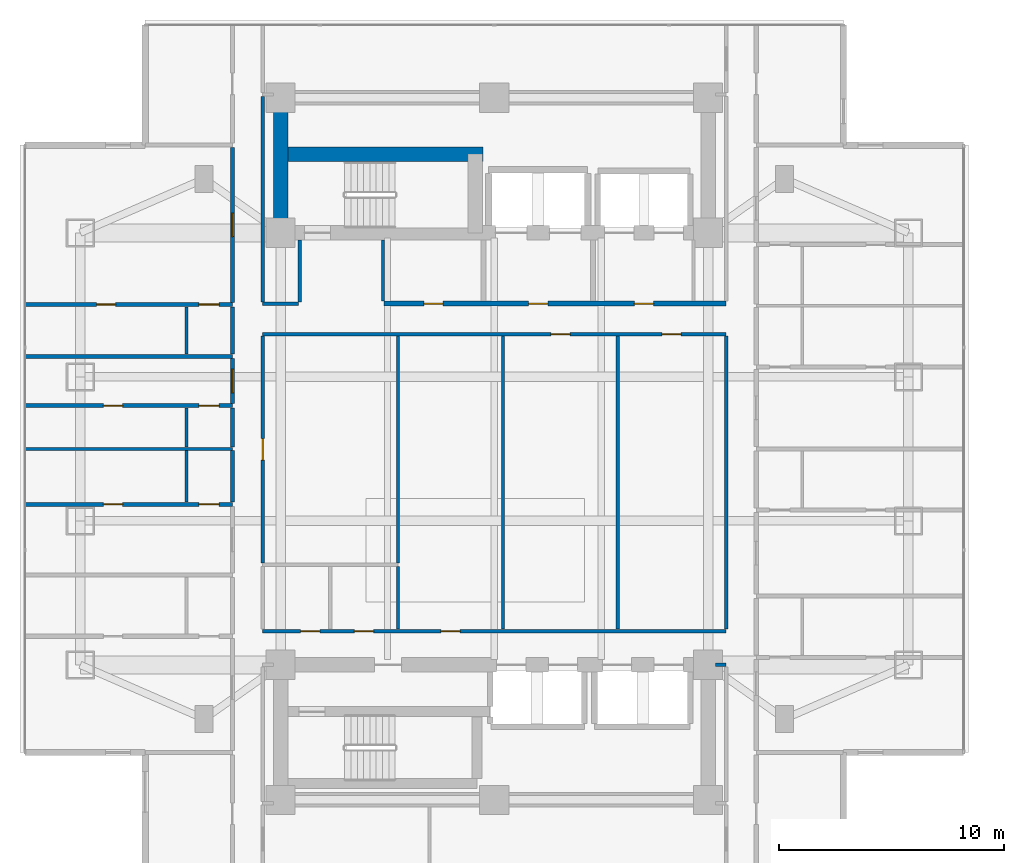
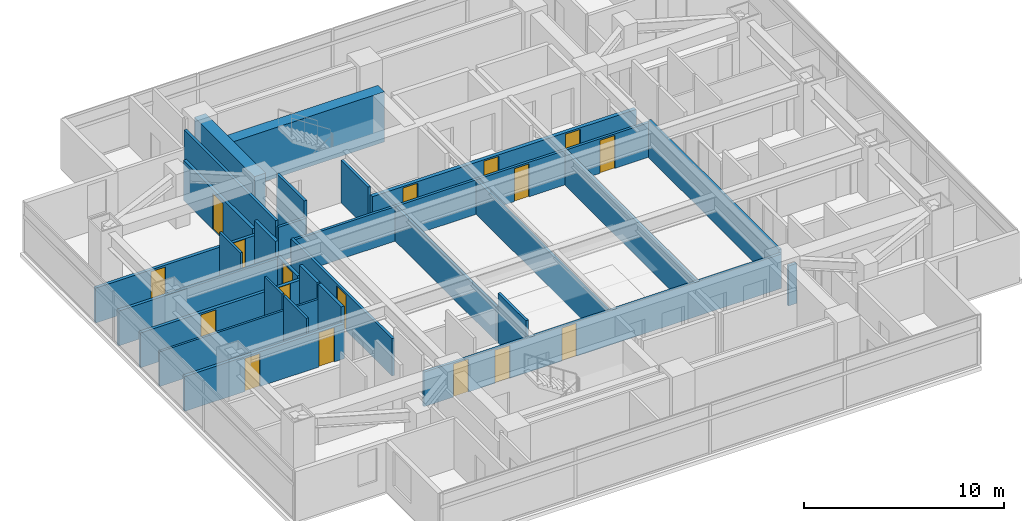
# One storey, part 14 of 27: 29 walls, 17 doors, 17 openings.
"""IFC4 building model written with IfcOpenShell, lengths in metres."""

from ifc_helpers import new_model, si_unit, direction, frame, frame_2d, origin, place, context, subcontext, project, spatial, rectangle, extrude, material, layer, layer_set, type_object, element, fill, save


model = new_model("IFC4")

# Units and contexts
model_context = context("Model", 3, precision=1e-05, world=origin(), true_north=direction((0.0, 1.0)))
body_context = subcontext(model_context, "Body", "Model", "MODEL_VIEW")
ifc_project = project(units=[si_unit("LENGTHUNIT", "METRE"), si_unit("AREAUNIT", "SQUARE_METRE"), si_unit("VOLUMEUNIT", "CUBIC_METRE"), si_unit("PLANEANGLEUNIT", "RADIAN"), si_unit("MASSUNIT", "GRAM", prefix="KILO")], contexts=[model_context])

# Site, building, storey
site_placement = place(None, origin())
site = spatial("IfcSite", under=ifc_project, at=site_placement, CompositionType="ELEMENT")
building_placement = place(site_placement, origin())
building = spatial("IfcBuilding", under=site, at=building_placement, Name="Mirazonda Arch Towers", CompositionType="ELEMENT")
storey_placement = place(building_placement, frame((0.0, 0.0, 55.39990234375)))
storey = spatial("IfcBuildingStorey", under=building, at=storey_placement, Name="L15", CompositionType="ELEMENT", Elevation=55.39990234375)

# Walls
ifc_material_1 = material(Name="Concrete C60/75", Category="concrete")
ifc_layer_1 = layer(ifc_material_1, 0.64990234375, Name="WALL-CORE-650")
ifc_layer_set_1 = layer_set([ifc_layer_1], Name="Concrete C60/75")
wall_type_1 = type_object("IfcWallType", Name="WALL-CORE-650", PredefinedType="SHEAR", material=ifc_layer_set_1)
wall_1_placement = place(storey_placement, frame((11.0, 37.60009765625, 0.0), z_axis=(0.0, 0.0, 1.0), x_axis=(0.0, 1.0, 0.0)))
element("IfcWall", 1, at=wall_1_placement, inside=storey, type_object=wall_type_1, Name="L15 T1N-W Core Shear Wall", PredefinedType="SHEAR", context=body_context, shape_type="SweptSolid", body=[
    extrude(rectangle(XDim=6.0, YDim=0.64990234375, at=frame_2d((3.0, 0.0))), origin(), (0.0, 0.0, 1.0), 3.06005859375),
])
wall_2_placement = place(storey_placement, frame((11.0, 41.093017578125, 0.0), z_axis=(0.0, 0.0, 1.0), x_axis=(1.0, 0.0, 0.0)))
element("IfcWall", 2, at=wall_2_placement, inside=storey, type_object=wall_type_1, Name="L15 T1N-STN Core Shear Wall", PredefinedType="SHEAR", context=body_context, shape_type="SweptSolid", body=[
    extrude(rectangle(XDim=9.0, YDim=0.64990234375, at=frame_2d((4.5, 0.0))), origin(), (0.0, 0.0, 1.0), 3.06005859375),
])

# Wall, openings, doors
ifc_material_2 = material(Name="Concrete C40/50", Category="concrete")
ifc_layer_2 = layer(ifc_material_2, 0.219970703125, Name="WALL-FFL-220")
ifc_layer_set_2 = layer_set([ifc_layer_2], Name="Concrete C40/50")
wall_type_2 = type_object("IfcWallType", Name="WALL-FFL-220", PredefinedType="SOLIDWALL", material=ifc_layer_set_2)
wall_3_placement = place(storey_placement, frame((15.590087890625, 34.449951171875, 0.0), z_axis=(0.0, 0.0, 1.0), x_axis=(1.0, 0.0, 0.0)))
wall_3 = element("IfcWall", 3, at=wall_3_placement, inside=storey, type_object=wall_type_2, Name="L15 Interior Partition 049", PredefinedType="SOLIDWALL", context=body_context, shape_type="SweptSolid", body=[
    extrude(rectangle(XDim=15.2099609375, YDim=0.219970703125, at=frame_2d((7.60498046875, 0.0))), origin(), (0.0, 0.0, 1.0), 2.10400390625),
])
opening_1_placement = place(wall_3_placement, frame((6.43505859375, 0.0, 0.0)))
opening_1 = element("IfcOpeningElement", 4, at=opening_1_placement, cuts=wall_3, Name="Opening DR-128", PredefinedType="OPENING", context=body_context, shape_type="SweptSolid", body=[
    extrude(rectangle(XDim=0.85009765625, YDim=2.010009765625, at=frame_2d((0.425048828125, 1.0048828125))), frame((0.0, 0.119873046875, 0.0), z_axis=(0.0, -1.0, 0.0), x_axis=(1.0, 0.0, 0.0)), (0.0, 0.0, 1.0), 0.239990234375),
])
opening_2_placement = place(wall_3_placement, frame((11.135009765625, 0.0, 0.0)))
opening_2 = element("IfcOpeningElement", 5, at=opening_2_placement, cuts=wall_3, Name="Opening DR-128", PredefinedType="OPENING", context=body_context, shape_type="SweptSolid", body=[
    extrude(rectangle(XDim=0.85009765625, YDim=2.010009765625, at=frame_2d((0.425048828125, 1.0048828125))), frame((0.0, 0.119873046875, 0.0), z_axis=(0.0, -1.0, 0.0), x_axis=(1.0, 0.0, 0.0)), (0.0, 0.0, 1.0), 0.239990234375),
])
opening_3_placement = place(wall_3_placement, frame((1.77490234375, 0.0, 0.0)))
opening_3 = element("IfcOpeningElement", 6, at=opening_3_placement, cuts=wall_3, Name="Opening DR-128", PredefinedType="OPENING", context=body_context, shape_type="SweptSolid", body=[
    extrude(rectangle(XDim=0.85009765625, YDim=2.010009765625, at=frame_2d((0.425048828125, 1.0048828125))), frame((0.0, 0.119873046875, 0.0), z_axis=(0.0, -1.0, 0.0), x_axis=(1.0, 0.0, 0.0)), (0.0, 0.0, 1.0), 0.239990234375),
])
ifc_material_3 = material(Name="Architectural Brushed Steel S355", Category="steel")
door_type_1 = type_object("IfcDoorType", Name="DOOR-RISER-FD60-850", OperationType="NOTDEFINED", PredefinedType="DOOR", material=ifc_material_3)
door_1_placement = place(opening_1_placement, origin())
door_1 = element("IfcDoor", 7, at=door_1_placement, inside=storey, type_object=door_type_1, Name="L15 Firefighting Lift Lobby Door", OperationType="SINGLE_SWING_LEFT", OverallHeight=2.010009765625, OverallWidth=0.85009765625, PredefinedType="DOOR", context=body_context, shape_type="SweptSolid", body=[
    extrude(rectangle(XDim=0.85009765625, YDim=2.010009765625, at=frame_2d((0.425048828125, 1.0048828125))), frame((0.0, 0.02490234375, 0.0), z_axis=(0.0, -1.0, 0.0), x_axis=(1.0, 0.0, 0.0)), (0.0, 0.0, 1.0), 0.050048828125),
])
fill(opening_1, door_1)
door_2_placement = place(opening_2_placement, origin())
door_2 = element("IfcDoor", 8, at=door_2_placement, inside=storey, type_object=door_type_1, Name="L15 Passenger Lift Lobby North Door", OperationType="SINGLE_SWING_RIGHT", OverallHeight=2.010009765625, OverallWidth=0.85009765625, PredefinedType="DOOR", context=body_context, shape_type="SweptSolid", body=[
    extrude(rectangle(XDim=0.85009765625, YDim=2.010009765625, at=frame_2d((0.425048828125, 1.0048828125))), frame((0.0, 0.02490234375, 0.0), z_axis=(0.0, -1.0, 0.0), x_axis=(1.0, 0.0, 0.0)), (0.0, 0.0, 1.0), 0.050048828125),
])
fill(opening_2, door_2)
door_3_placement = place(opening_3_placement, origin())
door_3 = element("IfcDoor", 9, at=door_3_placement, inside=storey, type_object=door_type_1, Name="L15 Housekeeping Linen Room Door", OperationType="SINGLE_SWING_LEFT", OverallHeight=2.010009765625, OverallWidth=0.85009765625, PredefinedType="DOOR", context=body_context, shape_type="SweptSolid", body=[
    extrude(rectangle(XDim=0.85009765625, YDim=2.010009765625, at=frame_2d((0.425048828125, 1.0048828125))), frame((0.0, 0.02490234375, 0.0), z_axis=(0.0, -1.0, 0.0), x_axis=(1.0, 0.0, 0.0)), (0.0, 0.0, 1.0), 0.050048828125),
])
fill(opening_3, door_3)

# Wall
ifc_material_4 = material(Name="Fire-Rated Gypsum Stud Partition")
ifc_layer_3 = layer(ifc_material_4, 0.14990234375, Name="WALL-PART-CORR-150")
ifc_layer_set_3 = layer_set([ifc_layer_3], Name="Fire-Rated Gypsum Stud Partition")
wall_type_3 = type_object("IfcWallType", Name="WALL-PART-CORR-150", PredefinedType="PARTITIONING", material=ifc_layer_set_3)
wall_4_placement = place(storey_placement, frame((30.320068359375, 18.39990234375, 0.0), z_axis=(0.0, 0.0, 1.0), x_axis=(1.0, 0.0, 0.0)))
element("IfcWall", 10, at=wall_4_placement, inside=storey, type_object=wall_type_3, Name="L15 Interior Partition 013", PredefinedType="PARTITIONING", context=body_context, shape_type="SweptSolid", body=[
    extrude(rectangle(XDim=0.47998046875, YDim=0.14990234375, at=frame_2d((0.239990234375, 0.0))), origin(), (0.0, 0.0, 1.0), 2.43603515625),
])

# Wall, openings, doors
wall_5_placement = place(storey_placement, frame((10.199951171875, 19.89990234375, 0.0), z_axis=(0.0, 0.0, 1.0), x_axis=(1.0, 0.0, 0.0)))
wall_5 = element("IfcWall", 11, at=wall_5_placement, inside=storey, type_object=wall_type_3, Name="L15 Interior Partition 017", PredefinedType="PARTITIONING", context=body_context, shape_type="SweptSolid", body=[
    extrude(rectangle(XDim=20.60009765625, YDim=0.14990234375, at=frame_2d((10.300048828125, 0.0))), origin(), (0.0, 0.0, 1.0), 2.10400390625),
])
opening_4_placement = place(wall_5_placement, frame((1.695068359375, 0.0, 0.0)))
opening_4 = element("IfcOpeningElement", 12, at=opening_4_placement, cuts=wall_5, Name="Opening DR-128", PredefinedType="OPENING", context=body_context, shape_type="SweptSolid", body=[
    extrude(rectangle(XDim=0.85009765625, YDim=2.010009765625, at=frame_2d((0.425048828125, 1.0048828125))), frame((0.0, 0.0849609375, 0.0), z_axis=(0.0, -1.0, 0.0), x_axis=(1.0, 0.0, 0.0)), (0.0, 0.0, 1.0), 0.169921875),
])
opening_5_placement = place(wall_5_placement, frame((4.0849609375, 0.0, 0.0)))
opening_5 = element("IfcOpeningElement", 13, at=opening_5_placement, cuts=wall_5, Name="Opening DR-128", PredefinedType="OPENING", context=body_context, shape_type="SweptSolid", body=[
    extrude(rectangle(XDim=0.85009765625, YDim=2.010009765625, at=frame_2d((0.425048828125, 1.0048828125))), frame((0.0, 0.0849609375, 0.0), z_axis=(0.0, -1.0, 0.0), x_axis=(1.0, 0.0, 0.0)), (0.0, 0.0, 1.0), 0.169921875),
])
opening_6_placement = place(wall_5_placement, frame((7.927978515625, 0.0, 0.0)))
opening_6 = element("IfcOpeningElement", 14, at=opening_6_placement, cuts=wall_5, Name="Opening DR-128", PredefinedType="OPENING", context=body_context, shape_type="SweptSolid", body=[
    extrude(rectangle(XDim=0.85009765625, YDim=2.010009765625, at=frame_2d((0.425048828125, 1.0048828125))), frame((0.0, 0.0849609375, 0.0), z_axis=(0.0, -1.0, 0.0), x_axis=(1.0, 0.0, 0.0)), (0.0, 0.0, 1.0), 0.169921875),
])
door_4_placement = place(opening_4_placement, origin())
door_4 = element("IfcDoor", 15, at=door_4_placement, inside=storey, type_object=door_type_1, Name="L15 Common Accessible WC Door", OperationType="SINGLE_SWING_RIGHT", OverallHeight=2.010009765625, OverallWidth=0.85009765625, PredefinedType="DOOR", context=body_context, shape_type="SweptSolid", body=[
    extrude(rectangle(XDim=0.85009765625, YDim=2.010009765625, at=frame_2d((0.425048828125, 1.0048828125))), frame((0.0, 0.02490234375, 0.0), z_axis=(0.0, -1.0, 0.0), x_axis=(1.0, 0.0, 0.0)), (0.0, 0.0, 1.0), 0.050048828125),
])
fill(opening_4, door_4)
door_5_placement = place(opening_5_placement, origin())
door_5 = element("IfcDoor", 16, at=door_5_placement, inside=storey, type_object=door_type_1, Name="L15 L15 West Courtyard Study Door", OperationType="SINGLE_SWING_LEFT", OverallHeight=2.010009765625, OverallWidth=0.85009765625, PredefinedType="DOOR", context=body_context, shape_type="SweptSolid", body=[
    extrude(rectangle(XDim=0.85009765625, YDim=2.010009765625, at=frame_2d((0.425048828125, 1.0048828125))), frame((0.0, 0.02490234375, 0.0), z_axis=(0.0, -1.0, 0.0), x_axis=(1.0, 0.0, 0.0)), (0.0, 0.0, 1.0), 0.050048828125),
])
fill(opening_5, door_5)
door_6_placement = place(opening_6_placement, origin())
door_6 = element("IfcDoor", 17, at=door_6_placement, inside=storey, type_object=door_type_1, Name="L15 Executive Club Lounge Door", OperationType="SINGLE_SWING_LEFT", OverallHeight=2.010009765625, OverallWidth=0.85009765625, PredefinedType="DOOR", context=body_context, shape_type="SweptSolid", body=[
    extrude(rectangle(XDim=0.85009765625, YDim=2.010009765625, at=frame_2d((0.425048828125, 1.0048828125))), frame((0.0, 0.02490234375, 0.0), z_axis=(0.0, -1.0, 0.0), x_axis=(1.0, 0.0, 0.0)), (0.0, 0.0, 1.0), 0.050048828125),
])
fill(opening_6, door_6)

wall_6_placement = place(storey_placement, frame((10.199951171875, 33.10009765625, 0.0), z_axis=(0.0, 0.0, 1.0), x_axis=(1.0, 0.0, 0.0)))
wall_6 = element("IfcWall", 18, at=wall_6_placement, inside=storey, type_object=wall_type_3, Name="L15 Interior Partition 045", PredefinedType="PARTITIONING", context=body_context, shape_type="SweptSolid", body=[
    extrude(rectangle(XDim=20.60009765625, YDim=0.14990234375, at=frame_2d((10.300048828125, 0.0))), origin(), (0.0, 0.0, 1.0), 2.10400390625),
])
opening_7_placement = place(wall_6_placement, frame((12.8125, 0.0, 0.0)))
opening_7 = element("IfcOpeningElement", 19, at=opening_7_placement, cuts=wall_6, Name="Opening DR-128", PredefinedType="OPENING", context=body_context, shape_type="SweptSolid", body=[
    extrude(rectangle(XDim=0.85009765625, YDim=2.010009765625, at=frame_2d((0.425048828125, 1.0048828125))), frame((0.0, 0.0849609375, 0.0), z_axis=(0.0, -1.0, 0.0), x_axis=(1.0, 0.0, 0.0)), (0.0, 0.0, 1.0), 0.169921875),
])
opening_8_placement = place(wall_6_placement, frame((17.74951171875, 0.0, 0.0)))
opening_8 = element("IfcOpeningElement", 20, at=opening_8_placement, cuts=wall_6, Name="Opening DR-128", PredefinedType="OPENING", context=body_context, shape_type="SweptSolid", body=[
    extrude(rectangle(XDim=0.85009765625, YDim=2.010009765625, at=frame_2d((0.425048828125, 1.0048828125))), frame((0.0, 0.0849609375, 0.0), z_axis=(0.0, -1.0, 0.0), x_axis=(1.0, 0.0, 0.0)), (0.0, 0.0, 1.0), 0.169921875),
])
door_7_placement = place(opening_7_placement, origin())
door_7 = element("IfcDoor", 21, at=door_7_placement, inside=storey, type_object=door_type_1, Name="L15 Concierge Salon Door", OperationType="SINGLE_SWING_RIGHT", OverallHeight=2.010009765625, OverallWidth=0.85009765625, PredefinedType="DOOR", context=body_context, shape_type="SweptSolid", body=[
    extrude(rectangle(XDim=0.85009765625, YDim=2.010009765625, at=frame_2d((0.425048828125, 1.0048828125))), frame((0.0, 0.02490234375, 0.0), z_axis=(0.0, -1.0, 0.0), x_axis=(1.0, 0.0, 0.0)), (0.0, 0.0, 1.0), 0.050048828125),
])
fill(opening_7, door_7)
door_8_placement = place(opening_8_placement, origin())
door_8 = element("IfcDoor", 22, at=door_8_placement, inside=storey, type_object=door_type_1, Name="L15 Private Meeting Suite Door", OperationType="SINGLE_SWING_LEFT", OverallHeight=2.010009765625, OverallWidth=0.85009765625, PredefinedType="DOOR", context=body_context, shape_type="SweptSolid", body=[
    extrude(rectangle(XDim=0.85009765625, YDim=2.010009765625, at=frame_2d((0.425048828125, 1.0048828125))), frame((0.0, 0.02490234375, 0.0), z_axis=(0.0, -1.0, 0.0), x_axis=(1.0, 0.0, 0.0)), (0.0, 0.0, 1.0), 0.050048828125),
])
fill(opening_8, door_8)

# Wall
wall_7_placement = place(storey_placement, frame((10.199951171875, 34.449951171875, 0.0), z_axis=(0.0, 0.0, 1.0), x_axis=(1.0, 0.0, 0.0)))
element("IfcWall", 23, at=wall_7_placement, inside=storey, type_object=wall_type_3, Name="L15 Interior Partition 048", PredefinedType="PARTITIONING", context=body_context, shape_type="SweptSolid", body=[
    extrude(rectangle(XDim=1.60009765625, YDim=0.14990234375, at=frame_2d((0.800048828125, 0.0))), origin(), (0.0, 0.0, 1.0), 2.10400390625),
])

# Wall, opening, door
wall_8_placement = place(storey_placement, frame((10.206787109375, 22.93505859375, 0.0), z_axis=(0.0, 0.0, 1.0), x_axis=(0.0, 1.0, 0.0)))
wall_8 = element("IfcWall", 24, at=wall_8_placement, inside=storey, type_object=wall_type_3, Name="L15 Interior Partition 082", PredefinedType="PARTITIONING", context=body_context, shape_type="SweptSolid", body=[
    extrude(rectangle(XDim=10.079833984375, YDim=0.14990234375, at=frame_2d((5.0400390625, 0.0))), origin(), (0.0, 0.0, 1.0), 2.279052734375),
])
opening_9_placement = place(wall_8_placement, frame((4.56494140625, 0.0, 0.0)))
opening_9 = element("IfcOpeningElement", 25, at=opening_9_placement, cuts=wall_8, Name="Opening DR-104", PredefinedType="OPENING", context=body_context, shape_type="SweptSolid", body=[
    extrude(rectangle(XDim=0.949951171875, YDim=2.14990234375, at=frame_2d((0.47509765625, 1.074951171875))), frame((0.0, 0.0849609375, 0.0), z_axis=(0.0, -1.0, 0.0), x_axis=(1.0, 0.0, 0.0)), (0.0, 0.0, 1.0), 0.169921875),
])
door_type_2 = type_object("IfcDoorType", Name="DOOR-ROOM-950", OperationType="NOTDEFINED", PredefinedType="DOOR", material=ifc_material_3)
door_9_placement = place(opening_9_placement, origin())
door_9 = element("IfcDoor", 26, at=door_9_placement, inside=storey, type_object=door_type_2, Name="L15 L15 West Courtyard Salon Door", OperationType="SINGLE_SWING_RIGHT", OverallHeight=2.14990234375, OverallWidth=0.949951171875, PredefinedType="DOOR", context=body_context, shape_type="SweptSolid", body=[
    extrude(rectangle(XDim=0.949951171875, YDim=2.14990234375, at=frame_2d((0.47509765625, 1.074951171875))), frame((0.0, 0.02490234375, 0.0), z_axis=(0.0, -1.0, 0.0), x_axis=(1.0, 0.0, 0.0)), (0.0, 0.0, 1.0), 0.050048828125),
])
fill(opening_9, door_9)

# Walls
wall_9_placement = place(storey_placement, frame((10.199951171875, 34.534912109375, 0.0), z_axis=(0.0, 0.0, 1.0), x_axis=(0.0, 1.0, 0.0)))
element("IfcWall", 27, at=wall_9_placement, inside=storey, type_object=wall_type_3, Name="L15 Interior Partition 083", PredefinedType="PARTITIONING", context=body_context, shape_type="SweptSolid", body=[
    extrude(rectangle(XDim=9.130126953125, YDim=0.14990234375, at=frame_2d((4.56494140625, 0.0))), origin(), (0.0, 0.0, 1.0), 2.43603515625),
])
wall_10_placement = place(storey_placement, frame((11.85009765625, 34.534912109375, 0.0), z_axis=(0.0, 0.0, 1.0), x_axis=(0.0, 1.0, 0.0)))
element("IfcWall", 28, at=wall_10_placement, inside=storey, type_object=wall_type_3, Name="L15 Interior Partition 085", PredefinedType="PARTITIONING", context=body_context, shape_type="SweptSolid", body=[
    extrude(rectangle(XDim=2.7451171875, YDim=0.14990234375, at=frame_2d((1.37255859375, 0.0))), origin(), (0.0, 0.0, 1.0), 3.06005859375),
])
wall_11_placement = place(storey_placement, frame((15.550048828125, 34.570068359375, 0.0), z_axis=(0.0, 0.0, 1.0), x_axis=(0.0, 1.0, 0.0)))
element("IfcWall", 29, at=wall_11_placement, inside=storey, type_object=wall_type_3, Name="L15 Interior Partition 087", PredefinedType="PARTITIONING", context=body_context, shape_type="SweptSolid", body=[
    extrude(rectangle(XDim=2.7099609375, YDim=0.14990234375, at=frame_2d((1.35498046875, 0.0))), origin(), (0.0, 0.0, 1.0), 2.589111328125),
])
wall_12_placement = place(storey_placement, frame((16.219970703125, 19.985107421875, 0.0), z_axis=(0.0, 0.0, 1.0), x_axis=(0.0, 1.0, 0.0)))
element("IfcWall", 30, at=wall_12_placement, inside=storey, type_object=wall_type_3, Name="L15 Interior Partition 088", PredefinedType="PARTITIONING", context=body_context, shape_type="SweptSolid", body=[
    extrude(rectangle(XDim=2.77978515625, YDim=0.14990234375, at=frame_2d((1.389892578125, 0.0))), origin(), (0.0, 0.0, 1.0), 3.06005859375),
])
wall_13_placement = place(storey_placement, frame((16.219970703125, 22.93505859375, 0.0), z_axis=(0.0, 0.0, 1.0), x_axis=(0.0, 1.0, 0.0)))
element("IfcWall", 31, at=wall_13_placement, inside=storey, type_object=wall_type_3, Name="L15 Interior Partition 089", PredefinedType="PARTITIONING", context=body_context, shape_type="SweptSolid", body=[
    extrude(rectangle(XDim=10.079833984375, YDim=0.14990234375, at=frame_2d((5.0400390625, 0.0))), origin(), (0.0, 0.0, 1.0), 2.10400390625),
])
for number, where, z_axis, x_axis, name in (
    (32, (20.885986328125, 19.985107421875, 0.0), (0.0, 0.0, 1.0), (0.0, 1.0, 0.0), "L15 Interior Partition 096"),
    (33, (25.989013671875, 19.985107421875, 0.0), (0.0, 0.0, 1.0), (0.0, 1.0, 0.0), "L15 Interior Partition 102"),
):
    element("IfcWall", number, at=place(storey_placement, frame(where, z_axis=z_axis, x_axis=x_axis)), inside=storey, type_object=wall_type_3, Name=name, PredefinedType="PARTITIONING", context=body_context, shape_type="SweptSolid", body=[
        extrude(rectangle(XDim=13.02978515625, YDim=0.14990234375, at=frame_2d((6.514892578125, 0.0))), origin(), (0.0, 0.0, 1.0), 2.10400390625),
    ])
wall_14_placement = place(storey_placement, frame((30.800048828125, 19.985107421875, 0.0), z_axis=(0.0, 0.0, 1.0), x_axis=(0.0, 1.0, 0.0)))
element("IfcWall", 34, at=wall_14_placement, inside=storey, type_object=wall_type_3, Name="L15 Interior Partition 108", PredefinedType="PARTITIONING", context=body_context, shape_type="SweptSolid", body=[
    extrude(rectangle(XDim=13.02978515625, YDim=0.14990234375, at=frame_2d((6.514892578125, 0.0))), origin(), (0.0, 0.0, 1.0), 2.279052734375),
])

# Wall, openings, doors
ifc_material_5 = material(Name="Fire-Rated Gypsum Twin-Stud Assembly")
ifc_layer_4 = layer(ifc_material_5, 0.179931640625, Name="WALL-PART-DEMISE-180")
ifc_layer_set_4 = layer_set([ifc_layer_4], Name="Fire-Rated Gypsum Twin-Stud Assembly")
wall_type_4 = type_object("IfcWallType", Name="WALL-PART-DEMISE-180", PredefinedType="PARTITIONING", material=ifc_layer_set_4)
wall_15_placement = place(storey_placement, frame((-0.360107421875, 25.531005859375, 0.0), z_axis=(0.0, 0.0, 1.0), x_axis=(1.0, 0.0, 0.0)))
wall_15 = element("IfcWall", 35, at=wall_15_placement, inside=storey, type_object=wall_type_4, Name="L15 Interior Partition 029", PredefinedType="PARTITIONING", context=body_context, shape_type="SweptSolid", body=[
    extrude(rectangle(XDim=9.22021484375, YDim=0.179931640625, at=frame_2d((4.610107421875, 0.0))), origin(), (0.0, 0.0, 1.0), 2.125),
])
opening_10_placement = place(wall_15_placement, frame((3.485107421875, 0.0, 0.0)))
opening_10 = element("IfcOpeningElement", 36, at=opening_10_placement, cuts=wall_15, Name="Opening DR-128", PredefinedType="OPENING", context=body_context, shape_type="SweptSolid", body=[
    extrude(rectangle(XDim=0.85009765625, YDim=2.010009765625, at=frame_2d((0.425048828125, 1.0048828125))), frame((0.0, 0.099853515625, 0.0), z_axis=(0.0, -1.0, 0.0), x_axis=(1.0, 0.0, 0.0)), (0.0, 0.0, 1.0), 0.199951171875),
])
opening_11_placement = place(wall_15_placement, frame((7.72998046875, 0.0, 0.0)))
opening_11 = element("IfcOpeningElement", 37, at=opening_11_placement, cuts=wall_15, Name="Opening DR-120", PredefinedType="OPENING", context=body_context, shape_type="SweptSolid", body=[
    extrude(rectangle(XDim=0.89990234375, YDim=2.10009765625, at=frame_2d((0.449951171875, 1.050048828125))), frame((0.0, 0.099853515625, 0.0), z_axis=(0.0, -1.0, 0.0), x_axis=(1.0, 0.0, 0.0)), (0.0, 0.0, 1.0), 0.199951171875),
])
door_10_placement = place(opening_10_placement, origin())
door_10 = element("IfcDoor", 38, at=door_10_placement, inside=storey, type_object=door_type_1, Name="L15 Guestroom Study 2 Door", OperationType="SINGLE_SWING_LEFT", OverallHeight=2.010009765625, OverallWidth=0.85009765625, PredefinedType="DOOR", context=body_context, shape_type="SweptSolid", body=[
    extrude(rectangle(XDim=0.85009765625, YDim=2.010009765625, at=frame_2d((0.425048828125, 1.0048828125))), frame((0.0, 0.02490234375, 0.0), z_axis=(0.0, -1.0, 0.0), x_axis=(1.0, 0.0, 0.0)), (0.0, 0.0, 1.0), 0.050048828125),
])
fill(opening_10, door_10)
door_type_3 = type_object("IfcDoorType", Name="DOOR-WC-900", OperationType="NOTDEFINED", PredefinedType="DOOR", material=ifc_material_3)
door_11_placement = place(opening_11_placement, origin())
door_11 = element("IfcDoor", 39, at=door_11_placement, inside=storey, type_object=door_type_3, Name="L15 En-Suite Bathroom 2 Door", OperationType="SINGLE_SWING_RIGHT", OverallHeight=2.10009765625, OverallWidth=0.89990234375, PredefinedType="DOOR", context=body_context, shape_type="SweptSolid", body=[
    extrude(rectangle(XDim=0.89990234375, YDim=2.10009765625, at=frame_2d((0.449951171875, 1.050048828125))), frame((0.0, 0.02490234375, 0.0), z_axis=(0.0, -1.0, 0.0), x_axis=(1.0, 0.0, 0.0)), (0.0, 0.0, 1.0), 0.050048828125),
])
fill(opening_11, door_11)

wall_16_placement = place(storey_placement, frame((-0.360107421875, 29.919921875, 0.0), z_axis=(0.0, 0.0, 1.0), x_axis=(1.0, 0.0, 0.0)))
wall_16 = element("IfcWall", 40, at=wall_16_placement, inside=storey, type_object=wall_type_4, Name="L15 Interior Partition 037", PredefinedType="PARTITIONING", context=body_context, shape_type="SweptSolid", body=[
    extrude(rectangle(XDim=9.22021484375, YDim=0.179931640625, at=frame_2d((4.610107421875, 0.0))), origin(), (0.0, 0.0, 1.0), 2.125),
])
opening_12_placement = place(wall_16_placement, frame((3.485107421875, 0.0, 0.0)))
opening_12 = element("IfcOpeningElement", 41, at=opening_12_placement, cuts=wall_16, Name="Opening DR-128", PredefinedType="OPENING", context=body_context, shape_type="SweptSolid", body=[
    extrude(rectangle(XDim=0.85009765625, YDim=2.010009765625, at=frame_2d((0.425048828125, 1.0048828125))), frame((0.0, 0.099853515625, 0.0), z_axis=(0.0, -1.0, 0.0), x_axis=(1.0, 0.0, 0.0)), (0.0, 0.0, 1.0), 0.199951171875),
])
opening_13_placement = place(wall_16_placement, frame((7.72998046875, 0.0, 0.0)))
opening_13 = element("IfcOpeningElement", 42, at=opening_13_placement, cuts=wall_16, Name="Opening DR-120", PredefinedType="OPENING", context=body_context, shape_type="SweptSolid", body=[
    extrude(rectangle(XDim=0.89990234375, YDim=2.10009765625, at=frame_2d((0.449951171875, 1.050048828125))), frame((0.0, 0.099853515625, 0.0), z_axis=(0.0, -1.0, 0.0), x_axis=(1.0, 0.0, 0.0)), (0.0, 0.0, 1.0), 0.199951171875),
])
door_12_placement = place(opening_12_placement, origin())
door_12 = element("IfcDoor", 43, at=door_12_placement, inside=storey, type_object=door_type_1, Name="L15 Guestroom Study 3 Door", OperationType="SINGLE_SWING_RIGHT", OverallHeight=2.010009765625, OverallWidth=0.85009765625, PredefinedType="DOOR", context=body_context, shape_type="SweptSolid", body=[
    extrude(rectangle(XDim=0.85009765625, YDim=2.010009765625, at=frame_2d((0.425048828125, 1.0048828125))), frame((0.0, 0.02490234375, 0.0), z_axis=(0.0, -1.0, 0.0), x_axis=(1.0, 0.0, 0.0)), (0.0, 0.0, 1.0), 0.050048828125),
])
fill(opening_12, door_12)
door_13_placement = place(opening_13_placement, origin())
door_13 = element("IfcDoor", 44, at=door_13_placement, inside=storey, type_object=door_type_3, Name="L15 En-Suite Bathroom 3 Door", OperationType="SINGLE_SWING_LEFT", OverallHeight=2.10009765625, OverallWidth=0.89990234375, PredefinedType="DOOR", context=body_context, shape_type="SweptSolid", body=[
    extrude(rectangle(XDim=0.89990234375, YDim=2.10009765625, at=frame_2d((0.449951171875, 1.050048828125))), frame((0.0, 0.02490234375, 0.0), z_axis=(0.0, -1.0, 0.0), x_axis=(1.0, 0.0, 0.0)), (0.0, 0.0, 1.0), 0.050048828125),
])
fill(opening_13, door_13)

# Wall
wall_17_placement = place(storey_placement, frame((-0.360107421875, 32.113037109375, 0.0), z_axis=(0.0, 0.0, 1.0), x_axis=(1.0, 0.0, 0.0)))
element("IfcWall", 45, at=wall_17_placement, inside=storey, type_object=wall_type_4, Name="L15 Interior Partition 042", PredefinedType="PARTITIONING", context=body_context, shape_type="SweptSolid", body=[
    extrude(rectangle(XDim=9.22021484375, YDim=0.179931640625, at=frame_2d((4.610107421875, 0.0))), origin(), (0.0, 0.0, 1.0), 2.125),
])

# Wall, openings, doors
wall_18_placement = place(storey_placement, frame((-0.360107421875, 34.4130859375, 0.0), z_axis=(0.0, 0.0, 1.0), x_axis=(1.0, 0.0, 0.0)))
wall_18 = element("IfcWall", 46, at=wall_18_placement, inside=storey, type_object=wall_type_4, Name="L15 Interior Partition 046", PredefinedType="PARTITIONING", context=body_context, shape_type="SweptSolid", body=[
    extrude(rectangle(XDim=9.22021484375, YDim=0.179931640625, at=frame_2d((4.610107421875, 0.0))), origin(), (0.0, 0.0, 1.0), 2.125),
])
opening_14_placement = place(wall_18_placement, frame((3.18505859375, 0.0, 0.0)))
opening_14 = element("IfcOpeningElement", 47, at=opening_14_placement, cuts=wall_18, Name="Opening DR-128", PredefinedType="OPENING", context=body_context, shape_type="SweptSolid", body=[
    extrude(rectangle(XDim=0.85009765625, YDim=2.010009765625, at=frame_2d((0.425048828125, 1.0048828125))), frame((0.0, 0.099853515625, 0.0), z_axis=(0.0, -1.0, 0.0), x_axis=(1.0, 0.0, 0.0)), (0.0, 0.0, 1.0), 0.199951171875),
])
opening_15_placement = place(wall_18_placement, frame((7.72998046875, 0.0, 0.0)))
opening_15 = element("IfcOpeningElement", 48, at=opening_15_placement, cuts=wall_18, Name="Opening DR-120", PredefinedType="OPENING", context=body_context, shape_type="SweptSolid", body=[
    extrude(rectangle(XDim=0.89990234375, YDim=2.10009765625, at=frame_2d((0.449951171875, 1.050048828125))), frame((0.0, 0.099853515625, 0.0), z_axis=(0.0, -1.0, 0.0), x_axis=(1.0, 0.0, 0.0)), (0.0, 0.0, 1.0), 0.199951171875),
])
door_14_placement = place(opening_14_placement, origin())
door_14 = element("IfcDoor", 49, at=door_14_placement, inside=storey, type_object=door_type_1, Name="L15 Guestroom Study 4 Door", OperationType="SINGLE_SWING_LEFT", OverallHeight=2.010009765625, OverallWidth=0.85009765625, PredefinedType="DOOR", context=body_context, shape_type="SweptSolid", body=[
    extrude(rectangle(XDim=0.85009765625, YDim=2.010009765625, at=frame_2d((0.425048828125, 1.0048828125))), frame((0.0, 0.02490234375, 0.0), z_axis=(0.0, -1.0, 0.0), x_axis=(1.0, 0.0, 0.0)), (0.0, 0.0, 1.0), 0.050048828125),
])
fill(opening_14, door_14)
door_15_placement = place(opening_15_placement, origin())
door_15 = element("IfcDoor", 50, at=door_15_placement, inside=storey, type_object=door_type_3, Name="L15 En-Suite Bathroom 4 Door", OperationType="SINGLE_SWING_RIGHT", OverallHeight=2.10009765625, OverallWidth=0.89990234375, PredefinedType="DOOR", context=body_context, shape_type="SweptSolid", body=[
    extrude(rectangle(XDim=0.89990234375, YDim=2.10009765625, at=frame_2d((0.449951171875, 1.050048828125))), frame((0.0, 0.02490234375, 0.0), z_axis=(0.0, -1.0, 0.0), x_axis=(1.0, 0.0, 0.0)), (0.0, 0.0, 1.0), 0.050048828125),
])
fill(opening_15, door_15)

# Walls
wall_19_placement = place(storey_placement, frame((8.860107421875, 25.631103515625, 0.0), z_axis=(0.0, 0.0, 1.0), x_axis=(0.0, 1.0, 0.0)))
element("IfcWall", 51, at=wall_19_placement, inside=storey, type_object=wall_type_4, Name="L15 Interior Partition 073", PredefinedType="PARTITIONING", context=body_context, shape_type="SweptSolid", body=[
    extrude(rectangle(XDim=2.29638671875, YDim=0.179931640625, at=frame_2d((1.148193359375, 0.0))), origin(), (0.0, 0.0, 1.0), 3.06005859375),
])
wall_20_placement = place(storey_placement, frame((8.860107421875, 28.072509765625, 0.0), z_axis=(0.0, 0.0, 1.0), x_axis=(0.0, 1.0, 0.0)))
element("IfcWall", 52, at=wall_20_placement, inside=storey, type_object=wall_type_4, Name="L15 Interior Partition 074", PredefinedType="PARTITIONING", context=body_context, shape_type="SweptSolid", body=[
    extrude(rectangle(XDim=1.74755859375, YDim=0.179931640625, at=frame_2d((0.873779296875, 0.0))), origin(), (0.0, 0.0, 1.0), 3.06005859375),
])

# Wall, opening, door
wall_21_placement = place(storey_placement, frame((8.860107421875, 30.02001953125, 0.0), z_axis=(0.0, 0.0, 1.0), x_axis=(0.0, 1.0, 0.0)))
wall_21 = element("IfcWall", 53, at=wall_21_placement, inside=storey, type_object=wall_type_4, Name="L15 Interior Partition 075", PredefinedType="PARTITIONING", context=body_context, shape_type="SweptSolid", body=[
    extrude(rectangle(XDim=1.992919921875, YDim=0.179931640625, at=frame_2d((0.99658203125, 0.0))), origin(), (0.0, 0.0, 1.0), 2.279052734375),
])
opening_16_placement = place(wall_21_placement, frame((0.471435546875, 0.0, 0.0)))
opening_16 = element("IfcOpeningElement", 54, at=opening_16_placement, cuts=wall_21, Name="Opening DR-121", PredefinedType="OPENING", context=body_context, shape_type="SweptSolid", body=[
    extrude(rectangle(XDim=1.050048828125, YDim=2.199951171875, at=frame_2d((0.52490234375, 1.10009765625))), frame((0.0, 0.099853515625, 0.0), z_axis=(0.0, -1.0, 0.0), x_axis=(1.0, 0.0, 0.0)), (0.0, 0.0, 1.0), 0.199951171875),
])
door_type_4 = type_object("IfcDoorType", Name="DOOR-SUITE-FD60-1050", OperationType="NOTDEFINED", PredefinedType="DOOR", material=ifc_material_3)
door_16_placement = place(opening_16_placement, origin())
door_16 = element("IfcDoor", 55, at=door_16_placement, inside=storey, type_object=door_type_4, Name="L15 King Hotel Guestroom 3 Door", OperationType="SINGLE_SWING_LEFT", OverallHeight=2.199951171875, OverallWidth=1.050048828125, PredefinedType="DOOR", context=body_context, shape_type="SweptSolid", body=[
    extrude(rectangle(XDim=1.050048828125, YDim=2.199951171875, at=frame_2d((0.52490234375, 1.10009765625))), frame((0.0, 0.02490234375, 0.0), z_axis=(0.0, -1.0, 0.0), x_axis=(1.0, 0.0, 0.0)), (0.0, 0.0, 1.0), 0.050048828125),
])
fill(opening_16, door_16)

# Wall
wall_22_placement = place(storey_placement, frame((8.860107421875, 32.212890625, 0.0), z_axis=(0.0, 0.0, 1.0), x_axis=(0.0, 1.0, 0.0)))
element("IfcWall", 56, at=wall_22_placement, inside=storey, type_object=wall_type_4, Name="L15 Interior Partition 076", PredefinedType="PARTITIONING", context=body_context, shape_type="SweptSolid", body=[
    extrude(rectangle(XDim=2.10009765625, YDim=0.179931640625, at=frame_2d((1.050048828125, 0.0))), origin(), (0.0, 0.0, 1.0), 3.06005859375),
])

# Wall, opening, door
wall_23_placement = place(storey_placement, frame((8.860107421875, 34.512939453125, 0.0), z_axis=(0.0, 0.0, 1.0), x_axis=(0.0, 1.0, 0.0)))
wall_23 = element("IfcWall", 57, at=wall_23_placement, inside=storey, type_object=wall_type_4, Name="L15 Interior Partition 077", PredefinedType="PARTITIONING", context=body_context, shape_type="SweptSolid", body=[
    extrude(rectangle(XDim=6.885009765625, YDim=0.179931640625, at=frame_2d((3.4423828125, 0.0))), origin(), (0.0, 0.0, 1.0), 2.43603515625),
])
opening_17_placement = place(wall_23_placement, frame((2.91748046875, 0.0, 0.0)))
opening_17 = element("IfcOpeningElement", 58, at=opening_17_placement, cuts=wall_23, Name="Opening DR-121", PredefinedType="OPENING", context=body_context, shape_type="SweptSolid", body=[
    extrude(rectangle(XDim=1.050048828125, YDim=2.199951171875, at=frame_2d((0.52490234375, 1.10009765625))), frame((0.0, 0.099853515625, 0.0), z_axis=(0.0, -1.0, 0.0), x_axis=(1.0, 0.0, 0.0)), (0.0, 0.0, 1.0), 0.199951171875),
])
door_17_placement = place(opening_17_placement, origin())
door_17 = element("IfcDoor", 59, at=door_17_placement, inside=storey, type_object=door_type_4, Name="L15 Twin Hotel Guestroom 4 Door", OperationType="SINGLE_SWING_RIGHT", OverallHeight=2.199951171875, OverallWidth=1.050048828125, PredefinedType="DOOR", context=body_context, shape_type="SweptSolid", body=[
    extrude(rectangle(XDim=1.050048828125, YDim=2.199951171875, at=frame_2d((0.52490234375, 1.10009765625))), frame((0.0, 0.02490234375, 0.0), z_axis=(0.0, -1.0, 0.0), x_axis=(1.0, 0.0, 0.0)), (0.0, 0.0, 1.0), 0.050048828125),
])
fill(opening_17, door_17)

# Walls
ifc_material_6 = material(Name="Acoustic Fire-Rated Gypsum Partition")
ifc_layer_5 = layer(ifc_material_6, 0.125, Name="WALL-PART-UNIT-125")
ifc_layer_set_5 = layer_set([ifc_layer_5], Name="Acoustic Fire-Rated Gypsum Partition")
wall_type_5 = type_object("IfcWallType", Name="WALL-PART-UNIT-125", PredefinedType="PARTITIONING", material=ifc_layer_set_5)
wall_24_placement = place(storey_placement, frame((-0.360107421875, 28.0, 0.0), z_axis=(0.0, 0.0, 1.0), x_axis=(1.0, 0.0, 0.0)))
element("IfcWall", 60, at=wall_24_placement, inside=storey, type_object=wall_type_5, Name="L15 Interior Partition 033", PredefinedType="PARTITIONING", context=body_context, shape_type="SweptSolid", body=[
    extrude(rectangle(XDim=9.22021484375, YDim=0.125, at=frame_2d((4.610107421875, 0.0))), origin(), (0.0, 0.0, 1.0), 2.125),
])
wall_25_placement = place(storey_placement, frame((6.820068359375, 25.631103515625, 0.0), z_axis=(0.0, 0.0, 1.0), x_axis=(0.0, 1.0, 0.0)))
element("IfcWall", 61, at=wall_25_placement, inside=storey, type_object=wall_type_5, Name="L15 Interior Partition 066", PredefinedType="PARTITIONING", context=body_context, shape_type="SweptSolid", body=[
    extrude(rectangle(XDim=2.29638671875, YDim=0.125, at=frame_2d((1.148193359375, 0.0))), origin(), (0.0, 0.0, 1.0), 3.06005859375),
])
wall_26_placement = place(storey_placement, frame((6.820068359375, 28.072509765625, 0.0), z_axis=(0.0, 0.0, 1.0), x_axis=(0.0, 1.0, 0.0)))
element("IfcWall", 62, at=wall_26_placement, inside=storey, type_object=wall_type_5, Name="L15 Interior Partition 067", PredefinedType="PARTITIONING", context=body_context, shape_type="SweptSolid", body=[
    extrude(rectangle(XDim=1.74755859375, YDim=0.125, at=frame_2d((0.873779296875, 0.0))), origin(), (0.0, 0.0, 1.0), 3.06005859375),
])
wall_27_placement = place(storey_placement, frame((6.820068359375, 32.212890625, 0.0), z_axis=(0.0, 0.0, 1.0), x_axis=(0.0, 1.0, 0.0)))
element("IfcWall", 63, at=wall_27_placement, inside=storey, type_object=wall_type_5, Name="L15 Interior Partition 068", PredefinedType="PARTITIONING", context=body_context, shape_type="SweptSolid", body=[
    extrude(rectangle(XDim=2.10009765625, YDim=0.125, at=frame_2d((1.050048828125, 0.0))), origin(), (0.0, 0.0, 1.0), 3.06005859375),
])

save(model, "model.ifc")
